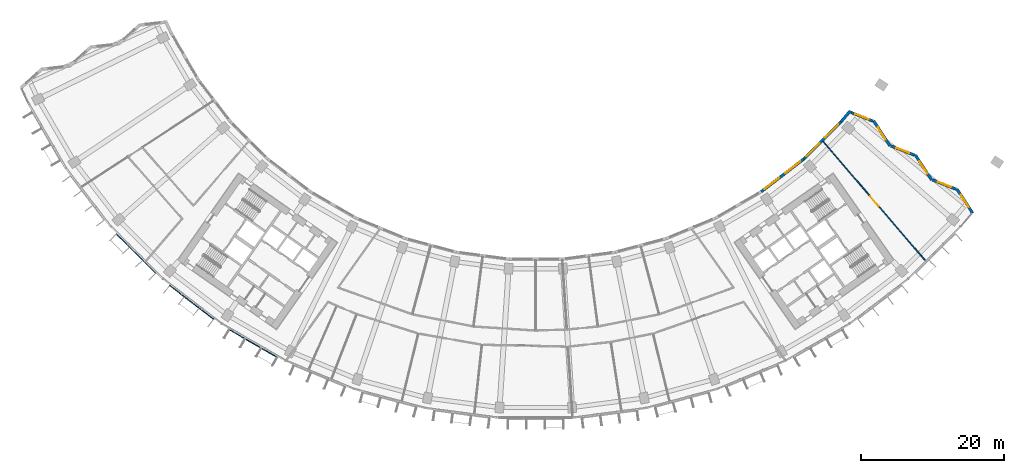
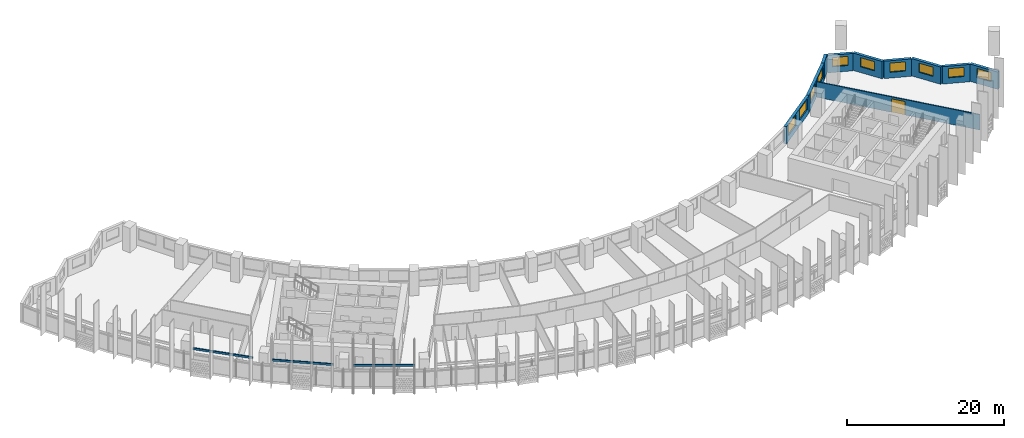
# One storey, part 8 of 30: 10 walls, 10 windows, 3 discrete accessories, 1 door, 11 openings.
"""IFC4 building model written with IfcOpenShell, lengths in metres."""

from ifc_helpers import new_model, si_unit, direction, frame, frame_2d, origin, origin_2d, place, context, subcontext, project, spatial, rectangle, extrude, material, layer, layer_set, type_object, element, fill, save


model = new_model("IFC4")

# Units and contexts
model_context = context("Model", 3, precision=1e-05, world=origin(), true_north=direction((0.0, 1.0)))
body_context = subcontext(model_context, "Body", "Model", "MODEL_VIEW")
ifc_project = project(units=[si_unit("LENGTHUNIT", "METRE"), si_unit("AREAUNIT", "SQUARE_METRE"), si_unit("VOLUMEUNIT", "CUBIC_METRE"), si_unit("PLANEANGLEUNIT", "RADIAN"), si_unit("MASSUNIT", "GRAM", prefix="KILO")], contexts=[model_context])

# Site, building, storey
site_placement = place(None, origin())
site = spatial("IfcSite", under=ifc_project, at=site_placement, CompositionType="ELEMENT")
building_placement = place(site_placement, origin())
building = spatial("IfcBuilding", under=site, at=building_placement, Name="Qamariyya Broadcast Tower", CompositionType="ELEMENT")
storey_placement = place(building_placement, frame((0.0, 0.0, 117.699951171875)))
storey = spatial("IfcBuildingStorey", under=building, at=storey_placement, Name="L26", CompositionType="ELEMENT", Elevation=117.699951171875)

# Wall, opening, door
ifc_material_1 = material(Name="Gypsum board partition")
ifc_layer_1 = layer(ifc_material_1, 0.14990234375)
ifc_layer_set_1 = layer_set([ifc_layer_1], Name="Corridor partition 150 EI 60")
wall_type_1 = type_object("IfcWallType", Name="Corridor partition 150 EI 60", PredefinedType="PARTITIONING", material=ifc_layer_set_1)
wall_1_placement = place(storey_placement, frame((40.267578125, -40.310791015625, 0.0), z_axis=(0.0, 0.0, 1.0), x_axis=(0.650987681244, -0.759088294514, 0.0)))
wall_1 = element("IfcWall", 1, at=wall_1_placement, inside=storey, type_object=wall_type_1, Name="Partition L26-040", PredefinedType="PARTITIONING", context=body_context, shape_type="SweptSolid", body=[
    extrude(rectangle(XDim=22.017822265625, YDim=0.14990234375, at=frame_2d((11.0087890625, 0.0))), origin(), (0.0, 0.0, 1.0), 2.400146484375),
])
opening_1_placement = place(wall_1_placement, frame((10.10888671875, 0.0, 0.0)))
opening_1 = element("IfcOpeningElement", 2, at=opening_1_placement, cuts=wall_1, Name="Opening L26-D19", PredefinedType="OPENING", context=body_context, shape_type="SweptSolid", body=[
    extrude(rectangle(XDim=1.800048828125, YDim=2.10009765625, at=frame_2d((0.89990234375, 1.050048828125))), frame((0.0, 0.0849609375, 0.0), z_axis=(0.0, -1.0, 0.0), x_axis=(1.0, 0.0, 0.0)), (0.0, 0.0, 1.0), 0.169921875),
])
ifc_material_2 = material(Name="Timber fire door leaf", Category="wood")
door_type = type_object("IfcDoorType", Name="Double fire door 1800 x 2100 FD60", OperationType="NOTDEFINED", PredefinedType="DOOR", material=ifc_material_2)
door_placement = place(opening_1_placement, origin())
door = element("IfcDoor", 3, at=door_placement, inside=storey, type_object=door_type, Name="Door L26-D19", OperationType="DOUBLE_DOOR_SINGLE_SWING", OverallHeight=2.10009765625, OverallWidth=1.800048828125, PredefinedType="DOOR", context=body_context, shape_type="SweptSolid", body=[
    extrude(rectangle(XDim=1.800048828125, YDim=2.10009765625, at=frame_2d((0.89990234375, 1.050048828125))), frame((0.0, 0.02490234375, 0.0), z_axis=(0.0, -1.0, 0.0), x_axis=(1.0, 0.0, 0.0)), (0.0, 0.0, 1.0), 0.050048828125),
])
fill(opening_1, door)

# Wall, opening, window
ifc_material_3 = material(Name="Terracotta", Category="masonry")
ifc_layer_2 = layer(ifc_material_3, 0.39990234375)
ifc_layer_set_2 = layer_set([ifc_layer_2], Name="Terracotta clad wall 400")
wall_type_2 = type_object("IfcWallType", Name="Terracotta clad wall 400", PredefinedType="SOLIDWALL", material=ifc_layer_set_2)
wall_2_placement = place(storey_placement, frame((61.205322265625, -50.327392578125, 0.0), z_axis=(0.0, 0.0, 1.0), x_axis=(-0.545811246074, 0.837908159442, 0.0)))
wall_2 = element("IfcWall", 4, at=wall_2_placement, inside=storey, type_object=wall_type_2, Name="e-wl-L26-capE0", PredefinedType="SOLIDWALL", context=body_context, shape_type="SweptSolid", body=[
    extrude(rectangle(XDim=4.013671875, YDim=0.39990234375, at=frame_2d((2.0068359375, 0.0))), origin(), (0.0, 0.0, 1.0), 2.699951171875),
])
opening_2_placement = place(wall_2_placement, frame((1.0068359375, 0.0, 0.89990234375)))
opening_2 = element("IfcOpeningElement", 5, at=opening_2_placement, cuts=wall_2, Name="Opening W4", PredefinedType="OPENING", context=body_context, shape_type="SweptSolid", body=[
    extrude(rectangle(XDim=2.0, YDim=1.425048828125, at=frame_2d((1.0, 0.71240234375))), frame((0.0, 0.2099609375, 0.0), z_axis=(0.0, -1.0, 0.0), x_axis=(1.0, 0.0, 0.0)), (0.0, 0.0, 1.0), 0.419921875),
])
ifc_material_4 = material(Name="Clear low-e double glazed unit in aluminium frame", Category="aluminium")
window_type_1 = type_object("IfcWindowType", Name="Horn bay window 2000 x 1425", PartitioningType="SINGLE_PANEL", PredefinedType="WINDOW", material=ifc_material_4)
window_1_placement = place(opening_2_placement, origin())
window_1 = element("IfcWindow", 6, at=window_1_placement, inside=storey, type_object=window_type_1, Name="e-w-L26-capE0", OverallHeight=1.425048828125, OverallWidth=2.0, PartitioningType="SINGLE_PANEL", PredefinedType="WINDOW", context=body_context, shape_type="SweptSolid", body=[
    extrude(rectangle(XDim=2.0, YDim=1.425048828125, at=frame_2d((1.0, 0.71240234375))), frame((0.0, 0.030029296875, 0.0), z_axis=(0.0, -1.0, 0.0), x_axis=(1.0, 0.0, 0.0)), (0.0, 0.0, 1.0), 0.06005859375),
])
fill(opening_2, window_1)

wall_3_placement = place(storey_placement, frame((58.8828125, -46.98388671875, 0.0), z_axis=(0.0, 0.0, 1.0), x_axis=(-0.929892981485, 0.367830182266, 0.0)))
wall_3 = element("IfcWall", 7, at=wall_3_placement, inside=storey, type_object=wall_type_2, Name="e-wl-L26-capE1", PredefinedType="SOLIDWALL", context=body_context, shape_type="SweptSolid", body=[
    extrude(rectangle(XDim=3.525634765625, YDim=0.39990234375, at=frame_2d((1.7626953125, 0.0))), origin(), (0.0, 0.0, 1.0), 2.699951171875),
])
opening_3_placement = place(wall_3_placement, frame((0.762939453125, 0.0, 0.89990234375)))
opening_3 = element("IfcOpeningElement", 8, at=opening_3_placement, cuts=wall_3, Name="Opening W4", PredefinedType="OPENING", context=body_context, shape_type="SweptSolid", body=[
    extrude(rectangle(XDim=2.0, YDim=1.425048828125, at=frame_2d((1.0, 0.71240234375))), frame((0.0, 0.2099609375, 0.0), z_axis=(0.0, -1.0, 0.0), x_axis=(1.0, 0.0, 0.0)), (0.0, 0.0, 1.0), 0.419921875),
])
window_2_placement = place(opening_3_placement, origin())
window_2 = element("IfcWindow", 9, at=window_2_placement, inside=storey, type_object=window_type_1, Name="e-w-L26-capE1", OverallHeight=1.425048828125, OverallWidth=2.0, PartitioningType="SINGLE_PANEL", PredefinedType="WINDOW", context=body_context, shape_type="SweptSolid", body=[
    extrude(rectangle(XDim=2.0, YDim=1.425048828125, at=frame_2d((1.0, 0.71240234375))), frame((0.0, 0.030029296875, 0.0), z_axis=(0.0, -1.0, 0.0), x_axis=(1.0, 0.0, 0.0)), (0.0, 0.0, 1.0), 0.06005859375),
])
fill(opening_3, window_2)

wall_4_placement = place(storey_placement, frame((55.472412109375, -45.70654296875, 0.0), z_axis=(0.0, 0.0, 1.0), x_axis=(-0.545841461204, 0.837888476607, 0.0)))
wall_4 = element("IfcWall", 10, at=wall_4_placement, inside=storey, type_object=wall_type_2, Name="e-wl-L26-capE2", PredefinedType="SOLIDWALL", context=body_context, shape_type="SweptSolid", body=[
    extrude(rectangle(XDim=4.193115234375, YDim=0.39990234375, at=frame_2d((2.0966796875, 0.0))), origin(), (0.0, 0.0, 1.0), 2.699951171875),
])
opening_4_placement = place(wall_4_placement, frame((1.0966796875, 0.0, 0.89990234375)))
opening_4 = element("IfcOpeningElement", 11, at=opening_4_placement, cuts=wall_4, Name="Opening W4", PredefinedType="OPENING", context=body_context, shape_type="SweptSolid", body=[
    extrude(rectangle(XDim=2.0, YDim=1.425048828125, at=frame_2d((1.0, 0.71240234375))), frame((0.0, 0.2099609375, 0.0), z_axis=(0.0, -1.0, 0.0), x_axis=(1.0, 0.0, 0.0)), (0.0, 0.0, 1.0), 0.419921875),
])
window_3_placement = place(opening_4_placement, origin())
window_3 = element("IfcWindow", 12, at=window_3_placement, inside=storey, type_object=window_type_1, Name="e-w-L26-capE2", OverallHeight=1.425048828125, OverallWidth=2.0, PartitioningType="SINGLE_PANEL", PredefinedType="WINDOW", context=body_context, shape_type="SweptSolid", body=[
    extrude(rectangle(XDim=2.0, YDim=1.425048828125, at=frame_2d((1.0, 0.71240234375))), frame((0.0, 0.030029296875, 0.0), z_axis=(0.0, -1.0, 0.0), x_axis=(1.0, 0.0, 0.0)), (0.0, 0.0, 1.0), 0.06005859375),
])
fill(opening_4, window_3)

wall_5_placement = place(storey_placement, frame((53.0517578125, -42.21240234375, 0.0), z_axis=(0.0, 0.0, 1.0), x_axis=(-0.929959618659, 0.367661675543, 0.0)))
wall_5 = element("IfcWall", 13, at=wall_5_placement, inside=storey, type_object=wall_type_2, Name="e-wl-L26-capE3", PredefinedType="SOLIDWALL", context=body_context, shape_type="SweptSolid", body=[
    extrude(rectangle(XDim=3.524658203125, YDim=0.39990234375, at=frame_2d((1.76220703125, 0.0))), origin(), (0.0, 0.0, 1.0), 2.699951171875),
])
opening_5_placement = place(wall_5_placement, frame((0.762451171875, 0.0, 0.89990234375)))
opening_5 = element("IfcOpeningElement", 14, at=opening_5_placement, cuts=wall_5, Name="Opening W4", PredefinedType="OPENING", context=body_context, shape_type="SweptSolid", body=[
    extrude(rectangle(XDim=2.0, YDim=1.425048828125, at=frame_2d((1.0, 0.71240234375))), frame((0.0, 0.2099609375, 0.0), z_axis=(0.0, -1.0, 0.0), x_axis=(1.0, 0.0, 0.0)), (0.0, 0.0, 1.0), 0.419921875),
])
window_4_placement = place(opening_5_placement, origin())
window_4 = element("IfcWindow", 15, at=window_4_placement, inside=storey, type_object=window_type_1, Name="e-w-L26-capE3", OverallHeight=1.425048828125, OverallWidth=2.0, PartitioningType="SINGLE_PANEL", PredefinedType="WINDOW", context=body_context, shape_type="SweptSolid", body=[
    extrude(rectangle(XDim=2.0, YDim=1.425048828125, at=frame_2d((1.0, 0.71240234375))), frame((0.0, 0.030029296875, 0.0), z_axis=(0.0, -1.0, 0.0), x_axis=(1.0, 0.0, 0.0)), (0.0, 0.0, 1.0), 0.06005859375),
])
fill(opening_5, window_4)

wall_6_placement = place(storey_placement, frame((49.642333984375, -40.935791015625, 0.0), z_axis=(0.0, 0.0, 1.0), x_axis=(-0.545965911121, 0.83780739069, 0.0)))
wall_6 = element("IfcWall", 16, at=wall_6_placement, inside=storey, type_object=wall_type_2, Name="e-wl-L26-capE4", PredefinedType="SOLIDWALL", context=body_context, shape_type="SweptSolid", body=[
    extrude(rectangle(XDim=4.194580078125, YDim=0.39990234375, at=frame_2d((2.09716796875, 0.0))), origin(), (0.0, 0.0, 1.0), 2.699951171875),
])
opening_6_placement = place(wall_6_placement, frame((1.09716796875, 0.0, 0.89990234375)))
opening_6 = element("IfcOpeningElement", 17, at=opening_6_placement, cuts=wall_6, Name="Opening W4", PredefinedType="OPENING", context=body_context, shape_type="SweptSolid", body=[
    extrude(rectangle(XDim=2.0, YDim=1.425048828125, at=frame_2d((1.0, 0.71240234375))), frame((0.0, 0.2099609375, 0.0), z_axis=(0.0, -1.0, 0.0), x_axis=(1.0, 0.0, 0.0)), (0.0, 0.0, 1.0), 0.419921875),
])
window_5_placement = place(opening_6_placement, origin())
window_5 = element("IfcWindow", 18, at=window_5_placement, inside=storey, type_object=window_type_1, Name="e-w-L26-capE4", OverallHeight=1.425048828125, OverallWidth=2.0, PartitioningType="SINGLE_PANEL", PredefinedType="WINDOW", context=body_context, shape_type="SweptSolid", body=[
    extrude(rectangle(XDim=2.0, YDim=1.425048828125, at=frame_2d((1.0, 0.71240234375))), frame((0.0, 0.030029296875, 0.0), z_axis=(0.0, -1.0, 0.0), x_axis=(1.0, 0.0, 0.0)), (0.0, 0.0, 1.0), 0.06005859375),
])
fill(opening_6, window_5)

wall_7_placement = place(storey_placement, frame((47.220458984375, -37.441162109375, 0.0), z_axis=(0.0, 0.0, 1.0), x_axis=(-0.929980276601, 0.367609419267, 0.0)))
wall_7 = element("IfcWall", 19, at=wall_7_placement, inside=storey, type_object=wall_type_2, Name="e-wl-L26-capE5", PredefinedType="SOLIDWALL", context=body_context, shape_type="SweptSolid", body=[
    extrude(rectangle(XDim=3.275390625, YDim=0.39990234375, at=frame_2d((1.6376953125, 0.0))), origin(), (0.0, 0.0, 1.0), 2.699951171875),
])
opening_7_placement = place(wall_7_placement, frame((0.6376953125, 0.0, 0.89990234375)))
opening_7 = element("IfcOpeningElement", 20, at=opening_7_placement, cuts=wall_7, Name="Opening W4", PredefinedType="OPENING", context=body_context, shape_type="SweptSolid", body=[
    extrude(rectangle(XDim=2.0, YDim=1.425048828125, at=frame_2d((1.0, 0.71240234375))), frame((0.0, 0.2099609375, 0.0), z_axis=(0.0, -1.0, 0.0), x_axis=(1.0, 0.0, 0.0)), (0.0, 0.0, 1.0), 0.419921875),
])
window_6_placement = place(opening_7_placement, origin())
window_6 = element("IfcWindow", 21, at=window_6_placement, inside=storey, type_object=window_type_1, Name="e-w-L26-capE5", OverallHeight=1.425048828125, OverallWidth=2.0, PartitioningType="SINGLE_PANEL", PredefinedType="WINDOW", context=body_context, shape_type="SweptSolid", body=[
    extrude(rectangle(XDim=2.0, YDim=1.425048828125, at=frame_2d((1.0, 0.71240234375))), frame((0.0, 0.030029296875, 0.0), z_axis=(0.0, -1.0, 0.0), x_axis=(1.0, 0.0, 0.0)), (0.0, 0.0, 1.0), 0.06005859375),
])
fill(opening_7, window_6)

# Wall, openings, windows
wall_8_placement = place(storey_placement, frame((37.536865234375, -42.764892578125, 0.0), z_axis=(0.0, 0.0, 1.0), x_axis=(-0.793363487476, -0.608748204711, 0.0)))
wall_8 = element("IfcWall", 22, at=wall_8_placement, inside=storey, type_object=wall_type_2, Name="e-wl-L26-in140", PredefinedType="SOLIDWALL", context=body_context, shape_type="SweptSolid", body=[
    extrude(rectangle(XDim=7.492919921875, YDim=0.39990234375, at=frame_2d((3.74658203125, 0.0))), origin(), (0.0, 0.0, 1.0), 2.699951171875),
])
opening_8_placement = place(wall_8_placement, frame((4.300537109375, 0.0, 0.89990234375)))
opening_8 = element("IfcOpeningElement", 23, at=opening_8_placement, cuts=wall_8, Name="Opening W1", PredefinedType="OPENING", context=body_context, shape_type="SweptSolid", body=[
    extrude(rectangle(XDim=2.60009765625, YDim=1.64990234375, at=frame_2d((1.300048828125, 0.824951171875))), frame((0.0, 0.2099609375, 0.0), z_axis=(0.0, -1.0, 0.0), x_axis=(1.0, 0.0, 0.0)), (0.0, 0.0, 1.0), 0.419921875),
])
opening_9_placement = place(wall_8_placement, frame((0.59228515625, 0.0, 0.89990234375)))
opening_9 = element("IfcOpeningElement", 24, at=opening_9_placement, cuts=wall_8, Name="Opening W1", PredefinedType="OPENING", context=body_context, shape_type="SweptSolid", body=[
    extrude(rectangle(XDim=2.60009765625, YDim=1.64990234375, at=frame_2d((1.300048828125, 0.824951171875))), frame((0.0, 0.2099609375, 0.0), z_axis=(0.0, -1.0, 0.0), x_axis=(1.0, 0.0, 0.0)), (0.0, 0.0, 1.0), 0.419921875),
])
window_type_2 = type_object("IfcWindowType", Name="Ribbon window 2600 x 1650", PartitioningType="SINGLE_PANEL", PredefinedType="WINDOW", material=ifc_material_4)
window_7_placement = place(opening_8_placement, origin())
window_7 = element("IfcWindow", 25, at=window_7_placement, inside=storey, type_object=window_type_2, Name="e-w-L26-in14-0", OverallHeight=1.64990234375, OverallWidth=2.60009765625, PartitioningType="SINGLE_PANEL", PredefinedType="WINDOW", context=body_context, shape_type="SweptSolid", body=[
    extrude(rectangle(XDim=2.60009765625, YDim=1.64990234375, at=frame_2d((1.300048828125, 0.824951171875))), frame((0.0, 0.030029296875, 0.0), z_axis=(0.0, -1.0, 0.0), x_axis=(1.0, 0.0, 0.0)), (0.0, 0.0, 1.0), 0.06005859375),
])
fill(opening_8, window_7)
window_8_placement = place(opening_9_placement, origin())
window_8 = element("IfcWindow", 26, at=window_8_placement, inside=storey, type_object=window_type_2, Name="e-w-L26-in14-1", OverallHeight=1.64990234375, OverallWidth=2.60009765625, PartitioningType="SINGLE_PANEL", PredefinedType="WINDOW", context=body_context, shape_type="SweptSolid", body=[
    extrude(rectangle(XDim=2.60009765625, YDim=1.64990234375, at=frame_2d((1.300048828125, 0.824951171875))), frame((0.0, 0.030029296875, 0.0), z_axis=(0.0, -1.0, 0.0), x_axis=(1.0, 0.0, 0.0)), (0.0, 0.0, 1.0), 0.06005859375),
])
fill(opening_9, window_8)

wall_9_placement = place(storey_placement, frame((42.75439453125, -37.542724609375, 0.0), z_axis=(0.0, 0.0, 1.0), x_axis=(-0.707106781187, -0.707106781187, 0.0)))
wall_9 = element("IfcWall", 27, at=wall_9_placement, inside=storey, type_object=wall_type_2, Name="e-wl-L26-in150", PredefinedType="SOLIDWALL", context=body_context, shape_type="SweptSolid", body=[
    extrude(rectangle(XDim=7.35595703125, YDim=0.39990234375, at=frame_2d((3.677978515625, 0.0))), origin(), (0.0, 0.0, 1.0), 2.699951171875),
])
opening_10_placement = place(wall_9_placement, frame((4.239501953125, 0.0, 0.89990234375)))
opening_10 = element("IfcOpeningElement", 28, at=opening_10_placement, cuts=wall_9, Name="Opening W1", PredefinedType="OPENING", context=body_context, shape_type="SweptSolid", body=[
    extrude(rectangle(XDim=2.60009765625, YDim=1.64990234375, at=frame_2d((1.300048828125, 0.824951171875))), frame((0.0, 0.2099609375, 0.0), z_axis=(0.0, -1.0, 0.0), x_axis=(1.0, 0.0, 0.0)), (0.0, 0.0, 1.0), 0.419921875),
])
opening_11_placement = place(wall_9_placement, frame((0.531005859375, 0.0, 0.89990234375)))
opening_11 = element("IfcOpeningElement", 29, at=opening_11_placement, cuts=wall_9, Name="Opening W1", PredefinedType="OPENING", context=body_context, shape_type="SweptSolid", body=[
    extrude(rectangle(XDim=2.60009765625, YDim=1.64990234375, at=frame_2d((1.300048828125, 0.824951171875))), frame((0.0, 0.2099609375, 0.0), z_axis=(0.0, -1.0, 0.0), x_axis=(1.0, 0.0, 0.0)), (0.0, 0.0, 1.0), 0.419921875),
])
window_9_placement = place(opening_10_placement, origin())
window_9 = element("IfcWindow", 30, at=window_9_placement, inside=storey, type_object=window_type_2, Name="e-w-L26-in15-0", OverallHeight=1.64990234375, OverallWidth=2.60009765625, PartitioningType="SINGLE_PANEL", PredefinedType="WINDOW", context=body_context, shape_type="SweptSolid", body=[
    extrude(rectangle(XDim=2.60009765625, YDim=1.64990234375, at=frame_2d((1.300048828125, 0.824951171875))), frame((0.0, 0.030029296875, 0.0), z_axis=(0.0, -1.0, 0.0), x_axis=(1.0, 0.0, 0.0)), (0.0, 0.0, 1.0), 0.06005859375),
])
fill(opening_10, window_9)
window_10_placement = place(opening_11_placement, origin())
window_10 = element("IfcWindow", 31, at=window_10_placement, inside=storey, type_object=window_type_2, Name="e-w-L26-in15-1", OverallHeight=1.64990234375, OverallWidth=2.60009765625, PartitioningType="SINGLE_PANEL", PredefinedType="WINDOW", context=body_context, shape_type="SweptSolid", body=[
    extrude(rectangle(XDim=2.60009765625, YDim=1.64990234375, at=frame_2d((1.300048828125, 0.824951171875))), frame((0.0, 0.030029296875, 0.0), z_axis=(0.0, -1.0, 0.0), x_axis=(1.0, 0.0, 0.0)), (0.0, 0.0, 1.0), 0.06005859375),
])
fill(opening_11, window_10)

# Wall
wall_10_placement = place(storey_placement, frame((44.064697265625, -36.0, 0.0), z_axis=(0.0, 0.0, 1.0), x_axis=(-0.646394542156, -0.763003339358, 0.0)))
element("IfcWall", 32, at=wall_10_placement, inside=storey, type_object=wall_type_2, Name="e-wl-L26-in160", PredefinedType="SOLIDWALL", context=body_context, shape_type="SweptSolid", body=[
    extrude(rectangle(XDim=2.0078125, YDim=0.39990234375, at=frame_2d((1.00390625, 0.0))), origin(), (0.0, 0.0, 1.0), 2.699951171875),
])

# Discrete accessories
ifc_material_5 = material(Name="Stainless steel 316", Category="steel")
discrete_accessory_type = type_object("IfcDiscreteAccessoryType", Name="Slab edge fixing angle, stainless steel", PredefinedType="BRACKET", material=ifc_material_5)
for number, where, z_axis, x_axis, name in (
    (33, (-56.006591796875, -56.006591796875, 3.2998046875), (0.0, 0.0, 1.0), (0.707106781187, -0.707106781187, 0.0), "e-br-L26-03-0"),
    (34, (-48.217041015625, -62.837646484375, 3.2998046875), (0.0, 0.0, 1.0), (0.793353340291, -0.608761429009, 0.0), "e-br-L26-04-0"),
    (35, (-39.6025390625, -68.59375, 3.2998046875), (0.0, 0.0, 1.0), (0.866025403784, -0.5, 0.0), "e-br-L26-05-0"),
):
    element("IfcDiscreteAccessory", number, at=place(storey_placement, frame(where, z_axis=z_axis, x_axis=x_axis)), inside=storey, type_object=discrete_accessory_type, Name=name, PredefinedType="BRACKET", context=body_context, shape_type="SweptSolid", body=[
        extrude(rectangle(XDim=7.879638671875, YDim=0.14990234375, at=origin_2d()), origin(), (0.0, 0.0, 1.0), 0.300048828125),
    ])

save(model, "model.ifc")
